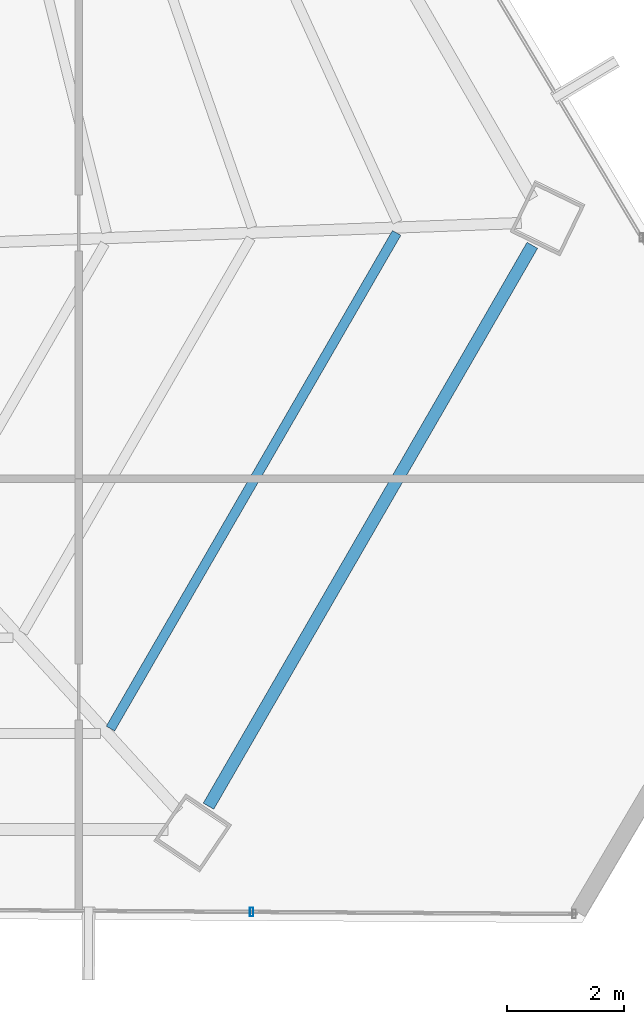
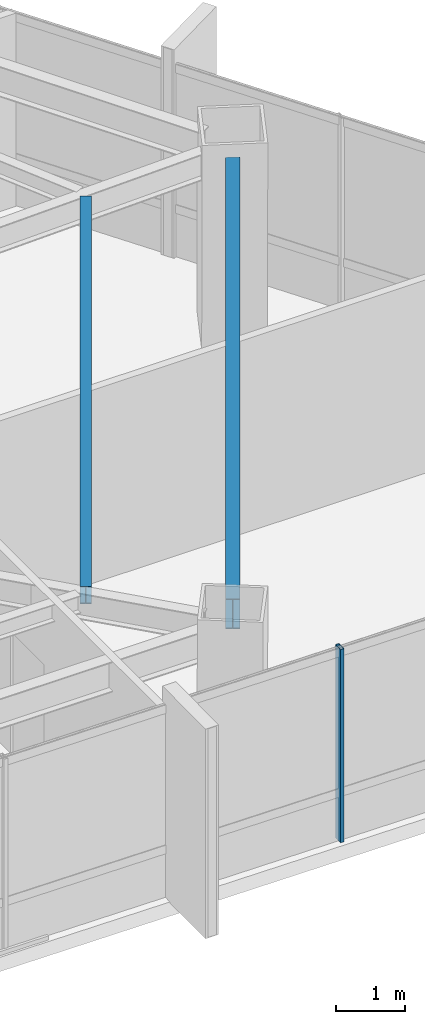
# One storey, part 19 of 41: 2 beams, 1 member, 1 element without a shape of its own.
"""IFC4 building model written with IfcOpenShell, lengths in metres."""

from ifc_helpers import new_model, si_unit, direction, frame, origin, origin_2d, place, context, subcontext, project, spatial, hollow_rectangle, i_section, extrude, source, transform, mapped, material, material_profile, profile_set, type_object, type_shapes, element, aggregate, save


model = new_model("IFC4")

# Units and contexts
model_context = context("Model", 3, precision=1e-05, world=origin(), true_north=direction((0.0, 1.0)))
body_context = subcontext(model_context, "Body", "Model", "MODEL_VIEW")
ifc_project = project(units=[si_unit("LENGTHUNIT", "METRE"), si_unit("AREAUNIT", "SQUARE_METRE"), si_unit("VOLUMEUNIT", "CUBIC_METRE"), si_unit("PLANEANGLEUNIT", "RADIAN"), si_unit("MASSUNIT", "GRAM", prefix="KILO")], contexts=[model_context])

# Site, building, storey
site_placement = place(None, origin())
site = spatial("IfcSite", under=ifc_project, at=site_placement, CompositionType="ELEMENT")
building_placement = place(site_placement, origin())
building = spatial("IfcBuilding", under=site, at=building_placement, Name="Caelisora Broadcast Tower", CompositionType="ELEMENT")
storey_placement = place(building_placement, frame((0.0, 0.0, 162.14990234375)))
storey = spatial("IfcBuildingStorey", under=building, at=storey_placement, Name="L42", CompositionType="ELEMENT", Elevation=162.14990234375)

# Beams
ifc_material_1 = material(Name="Steel Grade 350 (AS/NZS 3679.1)", Category="steel")
ifc_material_profile_1 = material_profile(ifc_material_1, i_section(OverallWidth=0.208984375, OverallDepth=0.532958984375, WebThickness=0.01025390625, FlangeThickness=0.015625, at=origin_2d()), Name="Steel Grade 350 (AS/NZS 3679.1)")
ifc_profile_set_1 = profile_set([ifc_material_profile_1], Name="Steel Grade 350 (AS/NZS 3679.1)")
beam_type_1 = type_object("IfcBeamType", Name="PG05", PredefinedType="BEAM", material=ifc_profile_set_1)
shared_shape_1 = source(origin(), body_context, "Body", "SweptSolid", [
    extrude(i_section(OverallWidth=0.208984375, OverallDepth=0.532958984375, WebThickness=0.01025390625, FlangeThickness=0.015625, at=origin_2d()), origin(), (0.0, 0.0, 1.0), 11.1005859375),
])
type_shapes(beam_type_1, [shared_shape_1])
beam_1_placement = place(storey_placement, frame((54.7236328125, 7.935791015625, 3.133544921875), z_axis=(0.500004219487, 0.866022967649, 0.0), x_axis=(-0.866022967649, 0.500004219487, 0.0)))
element("IfcBeam", 1, at=beam_1_placement, inside=storey, type_object=beam_type_1, Name="L42 beam PG05", PredefinedType="BEAM", context=body_context, shape_type="MappedRepresentation", body=[
    mapped(shared_shape_1, transform((0.0, 0.0, 0.0), scale=1.0)),
])
ifc_material_profile_2 = material_profile(ifc_material_1, i_section(OverallWidth=0.166015625, OverallDepth=0.30712890625, WebThickness=0.006591796875, FlangeThickness=0.01171875, at=origin_2d()), Name="Steel Grade 350 (AS/NZS 3679.1)")
ifc_profile_set_2 = profile_set([ifc_material_profile_2], Name="Steel Grade 350 (AS/NZS 3679.1)")
beam_type_2 = type_object("IfcBeamType", Name="SB03", PredefinedType="JOIST", material=ifc_profile_set_2)
shared_shape_2 = source(origin(), body_context, "Body", "SweptSolid", [
    extrude(i_section(OverallWidth=0.166015625, OverallDepth=0.30712890625, WebThickness=0.006591796875, FlangeThickness=0.01171875, at=origin_2d()), origin(), (0.0, 0.0, 1.0), 9.810302734375),
])
type_shapes(beam_type_2, [shared_shape_2])
beam_2_placement = place(storey_placement, frame((53.043212890625, 9.265380859375, 3.24658203125), z_axis=(0.50001470738, 0.866016912308, 0.0), x_axis=(-0.866016912308, 0.50001470738, 0.0)))
element("IfcBeam", 2, at=beam_2_placement, inside=storey, type_object=beam_type_2, Name="L42 beam SB03", PredefinedType="JOIST", context=body_context, shape_type="MappedRepresentation", body=[
    mapped(shared_shape_2, transform((0.0, 0.0, 0.0), scale=1.0)),
])

# Curtain wall, member
ifc_material_2 = material(Name="Unitised Aluminium and Low-E Glass Curtain Wall", Category="glass")
curtain_wall_type = type_object("IfcCurtainWallType", Name="CW-Z3", PredefinedType="NOTDEFINED", material=ifc_material_2)
curtain_wall_placement = place(storey_placement, origin())
curtain_wall = element("IfcCurtainWall", 3, at=curtain_wall_placement, inside=storey, type_object=curtain_wall_type, Name="L42 curtain wall CW-Z3", PredefinedType="NOTDEFINED")
ifc_material_3 = material(Name="Aluminium 6063-T6 Anodised Terracotta Bronze", Category="aluminium")
ifc_material_profile_3 = material_profile(ifc_material_3, hollow_rectangle(XDim=0.06005859375, YDim=0.14990234375, WallThickness=0.00341796875, at=origin_2d()), Name="Aluminium 6063-T6 Anodised Terracotta Bronze")
ifc_profile_set_3 = profile_set([ifc_material_profile_3], Name="Aluminium 6063-T6 Anodised Terracotta Bronze")
member_type = type_object("IfcMemberType", Name="CWM-03", PredefinedType="MULLION", material=ifc_profile_set_3)
shared_shape_3 = source(origin(), body_context, "Body", "SweptSolid", [
    extrude(hollow_rectangle(XDim=0.06005859375, YDim=0.14990234375, WallThickness=0.00341796875, at=origin_2d()), origin(), (0.0, 0.0, 1.0), 3.400146484375),
])
type_shapes(member_type, [shared_shape_3])
member_placement = place(storey_placement, frame((55.46240234375, 6.12451171875, 0.0), z_axis=(0.0, 0.0, 1.0), x_axis=(1.0, 0.0, 0.0)))
member = element("IfcMember", 4, at=member_placement, type_object=member_type, Name="L42-CW-B05 mullion #1", PredefinedType="MULLION", context=body_context, shape_type="MappedRepresentation", body=[
    mapped(shared_shape_3, transform((0.0, 0.0, 0.0), scale=1.0)),
])
aggregate(curtain_wall, [member])

save(model, "model.ifc")
